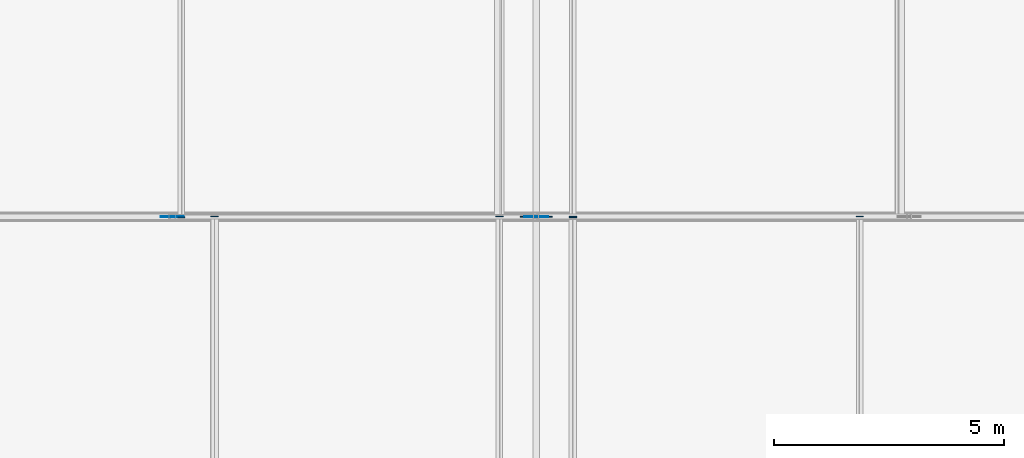
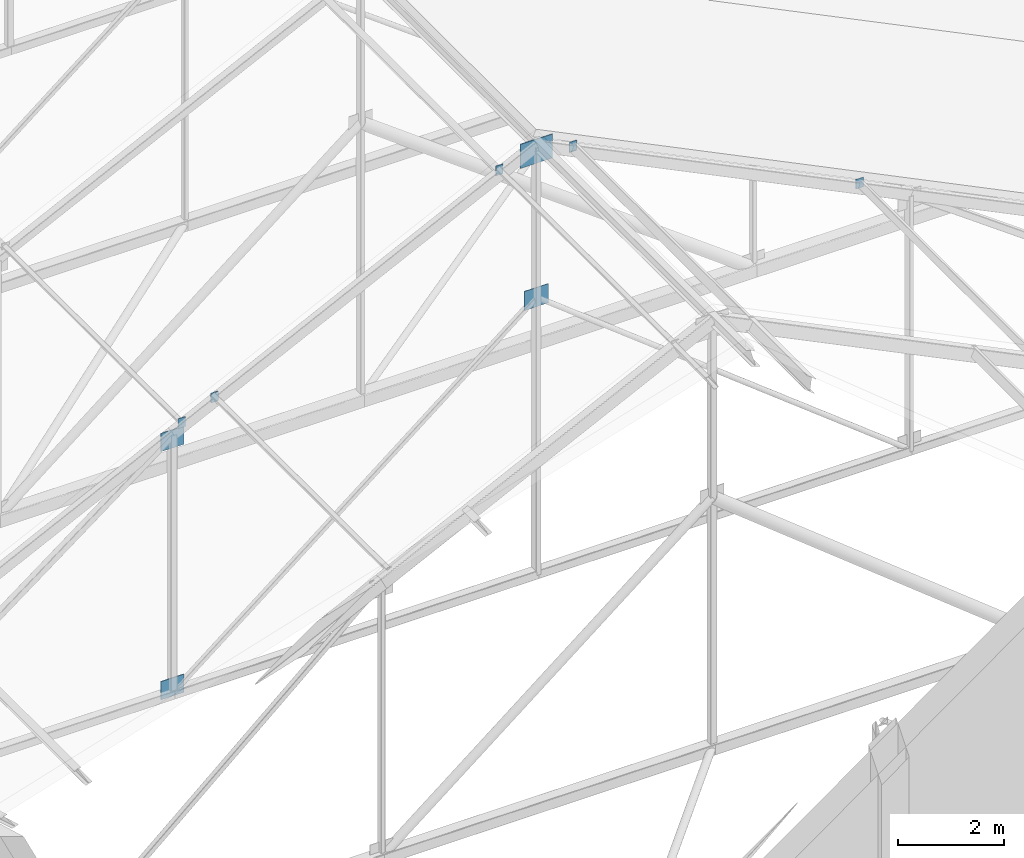
# One storey, part 52 of 78: 10 plates.
"""IFC4 building model written with IfcOpenShell, lengths in metres."""

import ifcopenshell
import ifcopenshell.guid

model = None  # the IFC model being written
_history = None  # IfcOwnerHistory: only IFC2X3 demands one
_inside = {}  # id of a spatial element -> (the spatial element, [elements in it])
_under = {}  # id of a project, library or spatial element -> (it, [spatial elements below it])
_declared = {}  # id of a project -> (the project, [libraries it declares])
_typed = {}  # id of a type object -> (the type object, [elements of that type])
_made_of = {}  # id of a material, layer set ... -> (it, [elements and type objects made of it])


def new_model(schema):
    """Start an empty IFC model of exactly this schema.

    Asked for "IFC4X3", IfcOpenShell would pick the latest addendum, in which some entities
    have other attributes; the version numbers below select the first issue.
    IFC2X3 requires an IfcOwnerHistory on every rooted entity: one is made here for all.
    """
    global model, _history
    if schema == "IFC4X3":
        model = ifcopenshell.file(schema_version=(4, 3, 0, 0))
    else:
        model = ifcopenshell.file(schema=schema)
    _inside.clear()
    _under.clear()
    _declared.clear()
    _typed.clear()
    _made_of.clear()
    _history = None
    if model.schema == "IFC2X3":
        org = make("IfcOrganization", Name="unknown")
        user = make(
            "IfcPersonAndOrganization",
            ThePerson=make("IfcPerson", FamilyName="unknown"),
            TheOrganization=org,
        )
        app = make(
            "IfcApplication",
            ApplicationDeveloper=org,
            Version="unknown",
            ApplicationFullName="unknown",
            ApplicationIdentifier="unknown",
        )
        _history = make(
            "IfcOwnerHistory",
            OwningUser=user,
            OwningApplication=app,
            ChangeAction="ADDED",
            CreationDate=0,
        )
    return model


def make(cls, **values):
    """One entity of the class cls with the attributes given. An attribute that is None is left unset."""
    return model.create_entity(
        cls, **{name: value for name, value in values.items() if value is not None}
    )


def rooted(cls, **values):
    """An entity with a GlobalId (a new one), such as an element, a storey or a relation."""
    return make(cls, GlobalId=ifcopenshell.guid.new(), OwnerHistory=_history, **values)


def si_unit(unit_type, name, prefix=None):
    """IfcSIUnit, for example si_unit("LENGTHUNIT", "METRE", prefix="MILLI")."""
    return make("IfcSIUnit", UnitType=unit_type, Prefix=prefix, Name=name)


def assignment(units):
    """IfcUnitAssignment: the units of a project."""
    return None if units is None else make("IfcUnitAssignment", Units=units)


def point(xyz):
    """IfcCartesianPoint."""
    return None if xyz is None else make("IfcCartesianPoint", Coordinates=xyz)


def direction(xyz):
    """IfcDirection."""
    return None if xyz is None else make("IfcDirection", DirectionRatios=xyz)


def frame(location, z_axis=None, x_axis=None):
    """IfcAxis2Placement3D, a coordinate frame: its origin and axes. An axis left out is left unset."""
    return make(
        "IfcAxis2Placement3D",
        Location=point(location),
        Axis=direction(z_axis),
        RefDirection=direction(x_axis),
    )


def frame_2d(location, x_axis=None):
    """IfcAxis2Placement2D, a coordinate frame in the plane: its origin and x axis."""
    return make(
        "IfcAxis2Placement2D", Location=point(location), RefDirection=direction(x_axis)
    )


def origin():
    """The frame at (0, 0, 0) with its axes left unset."""
    return frame((0.0, 0.0, 0.0))


def origin_2d():
    """The frame at (0, 0) in the plane with its x axis left unset."""
    return frame_2d((0.0, 0.0))


def place(relative_to, where):
    """IfcLocalPlacement: puts the frame where relative to a parent placement (None: the world)."""
    return make(
        "IfcLocalPlacement", PlacementRelTo=relative_to, RelativePlacement=where
    )


def context(
    kind, dimensions, precision=None, world=None, true_north=None, identifier=None
):
    """IfcGeometricRepresentationContext, for example the 3D "Model" context."""
    return make(
        "IfcGeometricRepresentationContext",
        ContextIdentifier=identifier,
        ContextType=kind,
        CoordinateSpaceDimension=dimensions,
        Precision=precision,
        WorldCoordinateSystem=world,
        TrueNorth=true_north,
    )


def subcontext(parent, identifier, kind, view, scale=None):
    """IfcGeometricRepresentationSubContext, for example "Body" below "Model"."""
    return make(
        "IfcGeometricRepresentationSubContext",
        ContextIdentifier=identifier,
        ContextType=kind,
        ParentContext=parent,
        TargetScale=scale,
        TargetView=view,
    )


def project(units=None, contexts=None):
    """IfcProject with its units and contexts."""
    return rooted(
        "IfcProject",
        Name="project",
        RepresentationContexts=contexts,
        UnitsInContext=assignment(units),
    )


def spatial(cls, under=None, at=None, **own):
    """A site, building, storey or space (cls), placed at a placement, below another one or the project."""
    s = rooted(cls, ObjectPlacement=at, **own)
    if under is not None:
        _under.setdefault(under.id(), (under, []))[1].append(s)
    return s


def profile(cls, at=None, kind="AREA", **sizes):
    """A parametric profile (cls). Its sizes go by their IFC names, for example OverallWidth=200.0."""
    return make(cls, ProfileType=kind, Position=at, **sizes)


def rectangle(**sizes):
    """IfcRectangleProfileDef."""
    return profile("IfcRectangleProfileDef", **sizes)


def extrude(swept, where, along, depth):
    """IfcExtrudedAreaSolid: the profile swept, set in the frame where, extruded along a direction by depth."""
    return make(
        "IfcExtrudedAreaSolid",
        SweptArea=swept,
        Position=where,
        ExtrudedDirection=direction(along),
        Depth=depth,
    )


def shape(context_of_items, identifier, shape_type, items):
    """IfcShapeRepresentation: the items that make up one representation, for example the "Body"."""
    return make(
        "IfcShapeRepresentation",
        ContextOfItems=context_of_items,
        RepresentationIdentifier=identifier,
        RepresentationType=shape_type,
        Items=items,
    )


def material(Name=None, Category=None):
    """IfcMaterial."""
    return make("IfcMaterial", Name=Name, Category=Category)


def layer(
    of_material, thickness, ventilated=None, Name=None, Category=None, Priority=None
):
    """IfcMaterialLayer: one layer of a wall or slab, of a material (None: an air gap)."""
    return make(
        "IfcMaterialLayer",
        Material=of_material,
        LayerThickness=thickness,
        IsVentilated=ventilated,
        Name=Name,
        Category=Category,
        Priority=Priority,
    )


def layer_set(layers, Name=None):
    """IfcMaterialLayerSet."""
    return make("IfcMaterialLayerSet", MaterialLayers=layers, LayerSetName=Name)


def made_of(thing, what):
    """Note that an element or type object is made of a material, layer set ...; save() writes the relation."""
    if what is not None:
        _made_of.setdefault(what.id(), (what, []))[1].append(thing)
    return thing


def type_object(cls, material=None, **own):
    """A type object (cls), such as IfcWallType, which elements share."""
    return made_of(rooted(cls, **own), material)


def element(
    cls,
    number,
    at=None,
    inside=None,
    cuts=None,
    type_object=None,
    material=None,
    context=None,
    identifier="Body",
    shape_type=None,
    held_by="IfcProductDefinitionShape",
    body=None,
    shapes=None,
    **own,
):
    """One element of the class cls, such as IfcWall. Its Tag is "e" and its number.

    at: its placement. inside: the storey or other place that contains it. cuts: it is an
    opening in that element (IfcRelVoidsElement). A single representation is given by context,
    identifier, shape_type and body (its items); several are given by shapes. held_by: the class
    of the entity that holds the representations. save() writes the other relations.
    """
    e = rooted(cls, Tag="e%d" % number, ObjectPlacement=at, **own)
    if body is not None:
        shapes = [shape(context, identifier, shape_type, body)]
    if shapes is not None:
        e.Representation = make(held_by, Representations=shapes)
    if inside is not None:
        _inside.setdefault(inside.id(), (inside, []))[1].append(e)
    if cuts is not None:
        rooted(
            "IfcRelVoidsElement", RelatingBuildingElement=cuts, RelatedOpeningElement=e
        )
    if type_object is not None:
        _typed.setdefault(type_object.id(), (type_object, []))[1].append(e)
    return made_of(e, material)


def aggregate(whole, parts):
    """IfcRelAggregates: a whole, such as a stair, and the parts it consists of."""
    return rooted("IfcRelAggregates", RelatingObject=whole, RelatedObjects=parts)


def save(model, path):
    """Write the relations noted so far, then the file.

    IfcRelAggregates (storeys below a building ...), IfcRelContainedInSpatialStructure (elements
    in a storey), IfcRelDefinesByType, IfcRelAssociatesMaterial and IfcRelDeclares: one each for
    every whole, place, type object, material and project.
    """
    for whole, parts in _under.values():
        aggregate(whole, parts)
    for where, things in _inside.values():
        rooted(
            "IfcRelContainedInSpatialStructure",
            RelatedElements=things,
            RelatingStructure=where,
        )
    for kind, things in _typed.values():
        rooted("IfcRelDefinesByType", RelatedObjects=things, RelatingType=kind)
    for what, things in _made_of.values():
        rooted("IfcRelAssociatesMaterial", RelatedObjects=things, RelatingMaterial=what)
    for by, libraries in _declared.values():
        rooted("IfcRelDeclares", RelatingContext=by, RelatedDefinitions=libraries)
    model.write(path)


model = new_model("IFC4")

# Units and contexts
model_context = context("Model", 3, precision=1e-05, world=origin(), true_north=direction((0.0, 1.0)))
body_context = subcontext(model_context, "Body", "Model", "MODEL_VIEW")
ifc_project = project(units=[si_unit("LENGTHUNIT", "METRE"), si_unit("AREAUNIT", "SQUARE_METRE"), si_unit("VOLUMEUNIT", "CUBIC_METRE"), si_unit("PLANEANGLEUNIT", "RADIAN"), si_unit("MASSUNIT", "GRAM", prefix="KILO")], contexts=[model_context])

# Site, building, storey
site_placement = place(None, origin())
site = spatial("IfcSite", under=ifc_project, at=site_placement, CompositionType="ELEMENT")
building_placement = place(site_placement, origin())
building = spatial("IfcBuilding", under=site, at=building_placement, Name="Kelanivale Promenade Academy", CompositionType="ELEMENT")
storey_placement = place(building_placement, frame((0.0, 0.0, 16.199951171875)))
storey = spatial("IfcBuildingStorey", under=building, at=storey_placement, Name="L04", CompositionType="ELEMENT", Elevation=16.199951171875)

# Plates
ifc_material = material(Name="Steel S355", Category="steel")
ifc_layer_1 = layer(ifc_material, 0.01611328125)
ifc_layer_set_1 = layer_set([ifc_layer_1], Name="Steel S355")
plate_type_1 = type_object("IfcPlateType", Name="TN-CP16 Plate 16mm", PredefinedType="USERDEFINED", material=ifc_layer_set_1)
for number, where, z_axis, x_axis, name in (
    (1, (132.199951171875, 46.264892578125, 6.5771484375), (0.0, 0.0, 1.0), (0.0, 1.0, 0.0), "ROOF TRUSS TN-4 hollow-section end cap plate"),
    (2, (138.39990234375, 46.264892578125, 9.63330078125), (0.0, 0.0, 1.0), (0.0, 1.0, 0.0), "ROOF TRUSS TN-4 hollow-section end cap plate"),
    (3, (140.0, 46.264892578125, 9.60498046875), (0.0, 0.0, 1.0), (0.0, 1.0, 0.0), "ROOF TRUSS TN-4 hollow-section end cap plate"),
    (4, (146.2451171875, 46.264892578125, 6.5830078125), (0.0, 0.0, 1.0), (0.0, 1.0, 0.0), "ROOF TRUSS TN-4 hollow-section end cap plate"),
    (5, (131.47509765625, 46.2490234375, 6.2509765625), (0.0, 0.0, 1.0), (0.0, -1.0, 0.0), "ROOF TRUSS TN-4 hollow-section end cap plate"),
    (6, (140.0, 46.2490234375, 9.63330078125), (0.0, 0.0, 1.0), (0.0, -1.0, 0.0), "ROOF TRUSS TN-4 hollow-section end cap plate"),
):
    element("IfcPlate", number, at=place(storey_placement, frame(where, z_axis=z_axis, x_axis=x_axis)), inside=storey, type_object=plate_type_1, Name=name, ObjectType="CAP PLATE", PredefinedType="USERDEFINED", context=body_context, shape_type="SweptSolid", body=[
        extrude(rectangle(XDim=0.01611328125, YDim=0.159912109375, at=origin_2d()), origin(), (0.0, 0.0, 1.0), 0.219970703125),
    ])
ifc_layer_2 = layer(ifc_material, 0.01611328125)
ifc_layer_set_2 = layer_set([ifc_layer_2], Name="Steel S355")
plate_type_2 = type_object("IfcPlateType", Name="TN-GP16 Plate 16mm", PredefinedType="USERDEFINED", material=ifc_layer_set_2)
plate_1_placement = place(storey_placement, frame((139.199951171875, 46.257080078125, 6.320068359375), z_axis=(0.0, 0.0, 1.0), x_axis=(1.0, 0.0, 0.0)))
element("IfcPlate", 7, at=plate_1_placement, inside=storey, type_object=plate_type_2, Name="ROOF TRUSS TN-2D welded node gusset plate", ObjectType="GUSSET PLATE", PredefinedType="USERDEFINED", context=body_context, shape_type="SweptSolid", body=[
    extrude(rectangle(XDim=0.52001953125, YDim=0.01611328125, at=origin_2d()), origin(), (0.0, 0.0, 1.0), 0.43994140625),
])
for number, where, z_axis, x_axis, name in (
    (8, (131.27490234375, 46.257080078125, 0.130126953125), (0.0, 0.0, 1.0), (1.0, 0.0, 0.0), "ROOF TRUSS TN-3 welded node gusset plate"),
    (9, (131.27490234375, 46.257080078125, 5.842041015625), (0.0, 0.0, 1.0), (1.0, 0.0, 0.0), "ROOF TRUSS TN-4 welded node gusset plate"),
):
    element("IfcPlate", number, at=place(storey_placement, frame(where, z_axis=z_axis, x_axis=x_axis)), inside=storey, type_object=plate_type_2, Name=name, ObjectType="GUSSET PLATE", PredefinedType="USERDEFINED", context=body_context, shape_type="SweptSolid", body=[
        extrude(rectangle(XDim=0.5, YDim=0.01611328125, at=origin_2d()), origin(), (0.0, 0.0, 1.0), 0.419921875),
    ])
ifc_layer_3 = layer(ifc_material, 0.02490234375)
ifc_layer_set_3 = layer_set([ifc_layer_3], Name="Steel S355")
plate_type_3 = type_object("IfcPlateType", Name="TN-GP25 Plate 25mm", PredefinedType="USERDEFINED", material=ifc_layer_set_3)
plate_2_placement = place(storey_placement, frame((139.199951171875, 46.257080078125, 9.626953125), z_axis=(0.0, 0.0, 1.0), x_axis=(1.0, 0.0, 0.0)))
element("IfcPlate", 10, at=plate_2_placement, inside=storey, type_object=plate_type_3, Name="ROOF TRUSS TN-2 welded node gusset plate", ObjectType="GUSSET PLATE", PredefinedType="USERDEFINED", context=body_context, shape_type="SweptSolid", body=[
    extrude(rectangle(XDim=0.699951171875, YDim=0.02490234375, at=origin_2d()), origin(), (0.0, 0.0, 1.0), 0.550048828125),
])

save(model, "model.ifc")
